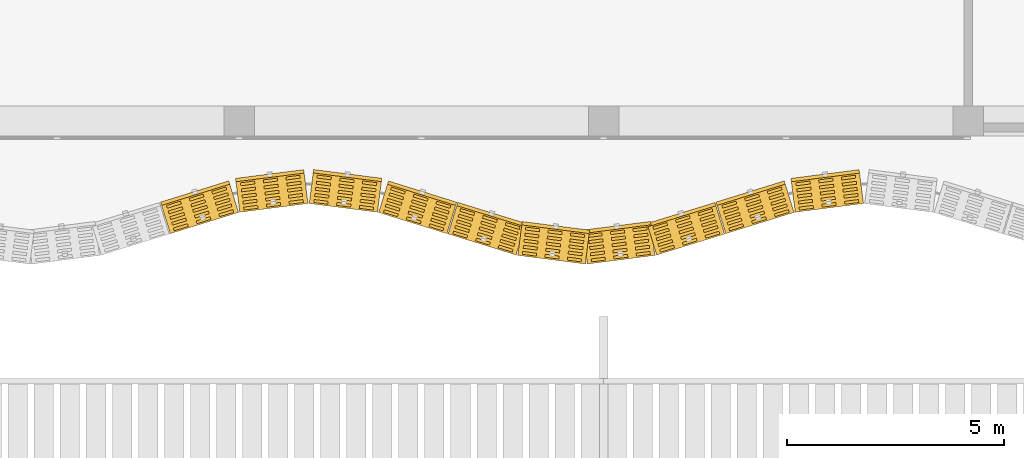
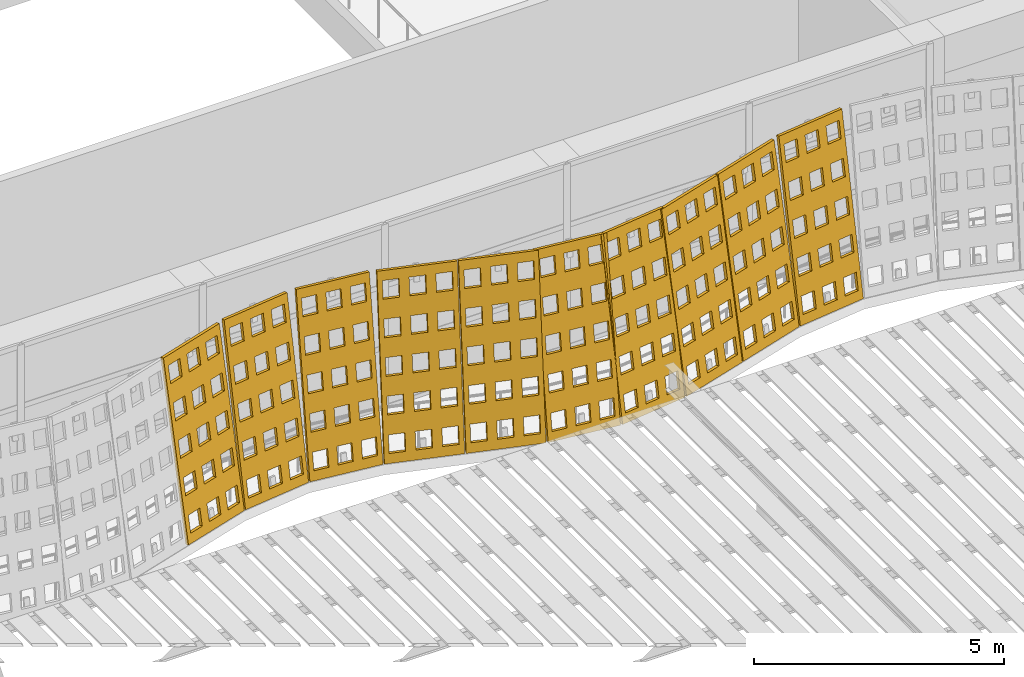
# One storey, part 139 of 162: 10 coverings.
"""IFC4 building model written with IfcOpenShell, lengths in metres."""

import ifcopenshell
import ifcopenshell.guid

model = None  # the IFC model being written
_history = None  # IfcOwnerHistory: only IFC2X3 demands one
_inside = {}  # id of a spatial element -> (the spatial element, [elements in it])
_under = {}  # id of a project, library or spatial element -> (it, [spatial elements below it])
_declared = {}  # id of a project -> (the project, [libraries it declares])
_typed = {}  # id of a type object -> (the type object, [elements of that type])
_made_of = {}  # id of a material, layer set ... -> (it, [elements and type objects made of it])


def new_model(schema):
    """Start an empty IFC model of exactly this schema.

    Asked for "IFC4X3", IfcOpenShell would pick the latest addendum, in which some entities
    have other attributes; the version numbers below select the first issue.
    IFC2X3 requires an IfcOwnerHistory on every rooted entity: one is made here for all.
    """
    global model, _history
    if schema == "IFC4X3":
        model = ifcopenshell.file(schema_version=(4, 3, 0, 0))
    else:
        model = ifcopenshell.file(schema=schema)
    _inside.clear()
    _under.clear()
    _declared.clear()
    _typed.clear()
    _made_of.clear()
    _history = None
    if model.schema == "IFC2X3":
        org = make("IfcOrganization", Name="unknown")
        user = make(
            "IfcPersonAndOrganization",
            ThePerson=make("IfcPerson", FamilyName="unknown"),
            TheOrganization=org,
        )
        app = make(
            "IfcApplication",
            ApplicationDeveloper=org,
            Version="unknown",
            ApplicationFullName="unknown",
            ApplicationIdentifier="unknown",
        )
        _history = make(
            "IfcOwnerHistory",
            OwningUser=user,
            OwningApplication=app,
            ChangeAction="ADDED",
            CreationDate=0,
        )
    return model


def make(cls, **values):
    """One entity of the class cls with the attributes given. An attribute that is None is left unset."""
    return model.create_entity(
        cls, **{name: value for name, value in values.items() if value is not None}
    )


def rooted(cls, **values):
    """An entity with a GlobalId (a new one), such as an element, a storey or a relation."""
    return make(cls, GlobalId=ifcopenshell.guid.new(), OwnerHistory=_history, **values)


def si_unit(unit_type, name, prefix=None):
    """IfcSIUnit, for example si_unit("LENGTHUNIT", "METRE", prefix="MILLI")."""
    return make("IfcSIUnit", UnitType=unit_type, Prefix=prefix, Name=name)


def assignment(units):
    """IfcUnitAssignment: the units of a project."""
    return None if units is None else make("IfcUnitAssignment", Units=units)


def point(xyz):
    """IfcCartesianPoint."""
    return None if xyz is None else make("IfcCartesianPoint", Coordinates=xyz)


def direction(xyz):
    """IfcDirection."""
    return None if xyz is None else make("IfcDirection", DirectionRatios=xyz)


def frame(location, z_axis=None, x_axis=None):
    """IfcAxis2Placement3D, a coordinate frame: its origin and axes. An axis left out is left unset."""
    return make(
        "IfcAxis2Placement3D",
        Location=point(location),
        Axis=direction(z_axis),
        RefDirection=direction(x_axis),
    )


def origin():
    """The frame at (0, 0, 0) with its axes left unset."""
    return frame((0.0, 0.0, 0.0))


def place(relative_to, where):
    """IfcLocalPlacement: puts the frame where relative to a parent placement (None: the world)."""
    return make(
        "IfcLocalPlacement", PlacementRelTo=relative_to, RelativePlacement=where
    )


def context(
    kind, dimensions, precision=None, world=None, true_north=None, identifier=None
):
    """IfcGeometricRepresentationContext, for example the 3D "Model" context."""
    return make(
        "IfcGeometricRepresentationContext",
        ContextIdentifier=identifier,
        ContextType=kind,
        CoordinateSpaceDimension=dimensions,
        Precision=precision,
        WorldCoordinateSystem=world,
        TrueNorth=true_north,
    )


def subcontext(parent, identifier, kind, view, scale=None):
    """IfcGeometricRepresentationSubContext, for example "Body" below "Model"."""
    return make(
        "IfcGeometricRepresentationSubContext",
        ContextIdentifier=identifier,
        ContextType=kind,
        ParentContext=parent,
        TargetScale=scale,
        TargetView=view,
    )


def project(units=None, contexts=None):
    """IfcProject with its units and contexts."""
    return rooted(
        "IfcProject",
        Name="project",
        RepresentationContexts=contexts,
        UnitsInContext=assignment(units),
    )


def spatial(cls, under=None, at=None, **own):
    """A site, building, storey or space (cls), placed at a placement, below another one or the project."""
    s = rooted(cls, ObjectPlacement=at, **own)
    if under is not None:
        _under.setdefault(under.id(), (under, []))[1].append(s)
    return s


def polyline(points):
    """IfcPolyline through the points."""
    return make("IfcPolyline", Points=[point(p) for p in points])


def outline(outer, holes=None, kind="AREA"):
    """IfcArbitraryClosedProfileDef: a profile drawn as a closed curve; with holes, ...WithVoids."""
    if holes is None:
        return make("IfcArbitraryClosedProfileDef", ProfileType=kind, OuterCurve=outer)
    return make(
        "IfcArbitraryProfileDefWithVoids",
        ProfileType=kind,
        OuterCurve=outer,
        InnerCurves=holes,
    )


def extrude(swept, where, along, depth):
    """IfcExtrudedAreaSolid: the profile swept, set in the frame where, extruded along a direction by depth."""
    return make(
        "IfcExtrudedAreaSolid",
        SweptArea=swept,
        Position=where,
        ExtrudedDirection=direction(along),
        Depth=depth,
    )


def shape(context_of_items, identifier, shape_type, items):
    """IfcShapeRepresentation: the items that make up one representation, for example the "Body"."""
    return make(
        "IfcShapeRepresentation",
        ContextOfItems=context_of_items,
        RepresentationIdentifier=identifier,
        RepresentationType=shape_type,
        Items=items,
    )


def material(Name=None, Category=None):
    """IfcMaterial."""
    return make("IfcMaterial", Name=Name, Category=Category)


def layer(
    of_material, thickness, ventilated=None, Name=None, Category=None, Priority=None
):
    """IfcMaterialLayer: one layer of a wall or slab, of a material (None: an air gap)."""
    return make(
        "IfcMaterialLayer",
        Material=of_material,
        LayerThickness=thickness,
        IsVentilated=ventilated,
        Name=Name,
        Category=Category,
        Priority=Priority,
    )


def layer_set(layers, Name=None):
    """IfcMaterialLayerSet."""
    return make("IfcMaterialLayerSet", MaterialLayers=layers, LayerSetName=Name)


def made_of(thing, what):
    """Note that an element or type object is made of a material, layer set ...; save() writes the relation."""
    if what is not None:
        _made_of.setdefault(what.id(), (what, []))[1].append(thing)
    return thing


def type_object(cls, material=None, **own):
    """A type object (cls), such as IfcWallType, which elements share."""
    return made_of(rooted(cls, **own), material)


def element(
    cls,
    number,
    at=None,
    inside=None,
    cuts=None,
    type_object=None,
    material=None,
    context=None,
    identifier="Body",
    shape_type=None,
    held_by="IfcProductDefinitionShape",
    body=None,
    shapes=None,
    **own,
):
    """One element of the class cls, such as IfcWall. Its Tag is "e" and its number.

    at: its placement. inside: the storey or other place that contains it. cuts: it is an
    opening in that element (IfcRelVoidsElement). A single representation is given by context,
    identifier, shape_type and body (its items); several are given by shapes. held_by: the class
    of the entity that holds the representations. save() writes the other relations.
    """
    e = rooted(cls, Tag="e%d" % number, ObjectPlacement=at, **own)
    if body is not None:
        shapes = [shape(context, identifier, shape_type, body)]
    if shapes is not None:
        e.Representation = make(held_by, Representations=shapes)
    if inside is not None:
        _inside.setdefault(inside.id(), (inside, []))[1].append(e)
    if cuts is not None:
        rooted(
            "IfcRelVoidsElement", RelatingBuildingElement=cuts, RelatedOpeningElement=e
        )
    if type_object is not None:
        _typed.setdefault(type_object.id(), (type_object, []))[1].append(e)
    return made_of(e, material)


def aggregate(whole, parts):
    """IfcRelAggregates: a whole, such as a stair, and the parts it consists of."""
    return rooted("IfcRelAggregates", RelatingObject=whole, RelatedObjects=parts)


def save(model, path):
    """Write the relations noted so far, then the file.

    IfcRelAggregates (storeys below a building ...), IfcRelContainedInSpatialStructure (elements
    in a storey), IfcRelDefinesByType, IfcRelAssociatesMaterial and IfcRelDeclares: one each for
    every whole, place, type object, material and project.
    """
    for whole, parts in _under.values():
        aggregate(whole, parts)
    for where, things in _inside.values():
        rooted(
            "IfcRelContainedInSpatialStructure",
            RelatedElements=things,
            RelatingStructure=where,
        )
    for kind, things in _typed.values():
        rooted("IfcRelDefinesByType", RelatedObjects=things, RelatingType=kind)
    for what, things in _made_of.values():
        rooted("IfcRelAssociatesMaterial", RelatedObjects=things, RelatingMaterial=what)
    for by, libraries in _declared.values():
        rooted("IfcRelDeclares", RelatingContext=by, RelatedDefinitions=libraries)
    model.write(path)


model = new_model("IFC4")

# Units and contexts
model_context = context("Model", 3, precision=1e-05, world=origin(), true_north=direction((0.0, 1.0)))
body_context = subcontext(model_context, "Body", "Model", "MODEL_VIEW")
ifc_project = project(units=[si_unit("LENGTHUNIT", "METRE"), si_unit("AREAUNIT", "SQUARE_METRE"), si_unit("VOLUMEUNIT", "CUBIC_METRE"), si_unit("PLANEANGLEUNIT", "RADIAN"), si_unit("MASSUNIT", "GRAM", prefix="KILO")], contexts=[model_context])

# Site, building, storey
site_placement = place(None, origin())
site = spatial("IfcSite", under=ifc_project, at=site_placement, CompositionType="ELEMENT")
building_placement = place(site_placement, origin())
building = spatial("IfcBuilding", under=site, at=building_placement, Name="Rain Tree Exposition and Congress Centre", CompositionType="ELEMENT")
storey_placement = place(building_placement, frame((0.0, 0.0, 6.0)))
storey = spatial("IfcBuildingStorey", under=building, at=storey_placement, Name="L01", CompositionType="ELEMENT", Elevation=6.0)

# Coverings
ifc_material = material(Name="Perforated terracotta", Category="masonry")
ifc_layer = layer(ifc_material, 0.080078125)
ifc_layer_set = layer_set([ifc_layer], Name="Perforated terracotta")
covering_type = type_object("IfcCoveringType", Name="Terracotta screen 80", PredefinedType="CLADDING", material=ifc_layer_set)
covering_1_placement = place(storey_placement, frame((99.199462890625, 73.001708984375, 0.0126953125), z_axis=(-0.292932171154, 0.942875425902, -0.158671592708), x_axis=(-0.954973588716, -0.296690823679, 0.0)))
element("IfcCovering", 1, at=covering_1_placement, inside=storey, type_object=covering_type, Name="concourse/screen/L01/063", PredefinedType="CLADDING", context=body_context, shape_type="SweptSolid", body=[
    extrude(outline(polyline([(-1.659912109375, 0.0), (-1.659912109375, 4.29150390625), (-0.014892578125, 4.29150390625), (-0.014892578125, 0.0), (-1.659912109375, 0.0)]), holes=[polyline([(-0.119140625, 0.221435546875), (-0.119140625, 0.63671875), (-0.458984375, 0.63671875), (-0.458984375, 0.221435546875), (-0.119140625, 0.221435546875)]), polyline([(-0.119140625, 1.079833984375), (-0.119140625, 1.4951171875), (-0.458984375, 1.4951171875), (-0.458984375, 1.079833984375), (-0.119140625, 1.079833984375)]), polyline([(-0.119140625, 1.93798828125), (-0.119140625, 2.353271484375), (-0.458984375, 2.353271484375), (-0.458984375, 1.93798828125), (-0.119140625, 1.93798828125)]), polyline([(-0.119140625, 2.79638671875), (-0.119140625, 3.211669921875), (-0.458984375, 3.211669921875), (-0.458984375, 2.79638671875), (-0.119140625, 2.79638671875)]), polyline([(-0.119140625, 3.654541015625), (-0.119140625, 4.06982421875), (-0.458984375, 4.06982421875), (-0.458984375, 3.654541015625), (-0.119140625, 3.654541015625)]), polyline([(-0.66748046875, 0.221435546875), (-0.66748046875, 0.63671875), (-1.00732421875, 0.63671875), (-1.00732421875, 0.221435546875), (-0.66748046875, 0.221435546875)]), polyline([(-0.66748046875, 1.079833984375), (-0.66748046875, 1.4951171875), (-1.00732421875, 1.4951171875), (-1.00732421875, 1.079833984375), (-0.66748046875, 1.079833984375)]), polyline([(-0.66748046875, 1.93798828125), (-0.66748046875, 2.353271484375), (-1.00732421875, 2.353271484375), (-1.00732421875, 1.93798828125), (-0.66748046875, 1.93798828125)]), polyline([(-0.66748046875, 2.79638671875), (-0.66748046875, 3.211669921875), (-1.00732421875, 3.211669921875), (-1.00732421875, 2.79638671875), (-0.66748046875, 2.79638671875)]), polyline([(-0.66748046875, 3.654541015625), (-0.66748046875, 4.06982421875), (-1.00732421875, 4.06982421875), (-1.00732421875, 3.654541015625), (-0.66748046875, 3.654541015625)]), polyline([(-1.2158203125, 0.221435546875), (-1.2158203125, 0.63671875), (-1.5556640625, 0.63671875), (-1.5556640625, 0.221435546875), (-1.2158203125, 0.221435546875)]), polyline([(-1.2158203125, 1.079833984375), (-1.2158203125, 1.4951171875), (-1.5556640625, 1.4951171875), (-1.5556640625, 1.079833984375), (-1.2158203125, 1.079833984375)]), polyline([(-1.2158203125, 1.93798828125), (-1.2158203125, 2.353271484375), (-1.5556640625, 2.353271484375), (-1.5556640625, 1.93798828125), (-1.2158203125, 1.93798828125)]), polyline([(-1.2158203125, 2.79638671875), (-1.2158203125, 3.211669921875), (-1.5556640625, 3.211669921875), (-1.5556640625, 2.79638671875), (-1.2158203125, 2.79638671875)]), polyline([(-1.2158203125, 3.654541015625), (-1.2158203125, 4.06982421875), (-1.5556640625, 4.06982421875), (-1.5556640625, 3.654541015625), (-1.2158203125, 3.654541015625)])]), origin(), (0.0, 0.0, 1.0), 0.080078125),
])
covering_2_placement = place(storey_placement, frame((100.7998046875, 73.496826171875, 0.01318359375), z_axis=(-0.124968640969, 0.978413018317, -0.164592844203), x_axis=(-0.991941518713, -0.126696580272, 0.0)))
element("IfcCovering", 2, at=covering_2_placement, inside=storey, type_object=covering_type, Name="concourse/screen/L01/064", PredefinedType="CLADDING", context=body_context, shape_type="SweptSolid", body=[
    extrude(outline(polyline([(-1.59814453125, 0.0), (-1.59814453125, 4.295166015625), (-0.014892578125, 4.295166015625), (-0.014892578125, 0.0), (-1.59814453125, 0.0)]), holes=[polyline([(-0.115234375, 0.2216796875), (-0.115234375, 0.63720703125), (-0.4423828125, 0.63720703125), (-0.4423828125, 0.2216796875), (-0.115234375, 0.2216796875)]), polyline([(-0.115234375, 1.080810546875), (-0.115234375, 1.496337890625), (-0.4423828125, 1.496337890625), (-0.4423828125, 1.080810546875), (-0.115234375, 1.080810546875)]), polyline([(-0.115234375, 1.939697265625), (-0.115234375, 2.35546875), (-0.4423828125, 2.35546875), (-0.4423828125, 1.939697265625), (-0.115234375, 1.939697265625)]), polyline([(-0.115234375, 2.798583984375), (-0.115234375, 3.21435546875), (-0.4423828125, 3.21435546875), (-0.4423828125, 2.798583984375), (-0.115234375, 2.798583984375)]), polyline([(-0.115234375, 3.65771484375), (-0.115234375, 4.073486328125), (-0.4423828125, 4.073486328125), (-0.4423828125, 3.65771484375), (-0.115234375, 3.65771484375)]), polyline([(-0.64306640625, 0.2216796875), (-0.64306640625, 0.63720703125), (-0.97021484375, 0.63720703125), (-0.97021484375, 0.2216796875), (-0.64306640625, 0.2216796875)]), polyline([(-0.64306640625, 1.080810546875), (-0.64306640625, 1.496337890625), (-0.97021484375, 1.496337890625), (-0.97021484375, 1.080810546875), (-0.64306640625, 1.080810546875)]), polyline([(-0.64306640625, 1.939697265625), (-0.64306640625, 2.35546875), (-0.97021484375, 2.35546875), (-0.97021484375, 1.939697265625), (-0.64306640625, 1.939697265625)]), polyline([(-0.64306640625, 2.798583984375), (-0.64306640625, 3.21435546875), (-0.97021484375, 3.21435546875), (-0.97021484375, 2.798583984375), (-0.64306640625, 2.798583984375)]), polyline([(-0.64306640625, 3.65771484375), (-0.64306640625, 4.073486328125), (-0.97021484375, 4.073486328125), (-0.97021484375, 3.65771484375), (-0.64306640625, 3.65771484375)]), polyline([(-1.170654296875, 0.2216796875), (-1.170654296875, 0.63720703125), (-1.497802734375, 0.63720703125), (-1.497802734375, 0.2216796875), (-1.170654296875, 0.2216796875)]), polyline([(-1.170654296875, 1.080810546875), (-1.170654296875, 1.496337890625), (-1.497802734375, 1.496337890625), (-1.497802734375, 1.080810546875), (-1.170654296875, 1.080810546875)]), polyline([(-1.170654296875, 1.939697265625), (-1.170654296875, 2.35546875), (-1.497802734375, 2.35546875), (-1.497802734375, 1.939697265625), (-1.170654296875, 1.939697265625)]), polyline([(-1.170654296875, 2.798583984375), (-1.170654296875, 3.21435546875), (-1.497802734375, 3.21435546875), (-1.497802734375, 2.798583984375), (-1.170654296875, 2.798583984375)]), polyline([(-1.170654296875, 3.65771484375), (-1.170654296875, 4.073486328125), (-1.497802734375, 4.073486328125), (-1.497802734375, 3.65771484375), (-1.170654296875, 3.65771484375)])]), origin(), (0.0, 0.0, 1.0), 0.080078125),
])
covering_3_placement = place(storey_placement, frame((102.400390625, 73.701904296875, 0.01318359375), z_axis=(0.125342414455, 0.978282259159, -0.165085131233), x_axis=(-0.991891686382, 0.127086122318, 0.0)))
element("IfcCovering", 3, at=covering_3_placement, inside=storey, type_object=covering_type, Name="concourse/screen/L01/065", PredefinedType="CLADDING", context=body_context, shape_type="SweptSolid", body=[
    extrude(outline(polyline([(-1.59814453125, 0.0), (-1.59814453125, 4.295166015625), (-0.014892578125, 4.295166015625), (-0.014892578125, 0.0), (-1.59814453125, 0.0)]), holes=[polyline([(-0.115234375, 0.2216796875), (-0.115234375, 0.63720703125), (-0.4423828125, 0.63720703125), (-0.4423828125, 0.2216796875), (-0.115234375, 0.2216796875)]), polyline([(-0.115234375, 1.080810546875), (-0.115234375, 1.496337890625), (-0.4423828125, 1.496337890625), (-0.4423828125, 1.080810546875), (-0.115234375, 1.080810546875)]), polyline([(-0.115234375, 1.939697265625), (-0.115234375, 2.35546875), (-0.4423828125, 2.35546875), (-0.4423828125, 1.939697265625), (-0.115234375, 1.939697265625)]), polyline([(-0.115234375, 2.798583984375), (-0.115234375, 3.21435546875), (-0.4423828125, 3.21435546875), (-0.4423828125, 2.798583984375), (-0.115234375, 2.798583984375)]), polyline([(-0.115234375, 3.65771484375), (-0.115234375, 4.073486328125), (-0.4423828125, 4.073486328125), (-0.4423828125, 3.65771484375), (-0.115234375, 3.65771484375)]), polyline([(-0.64306640625, 0.2216796875), (-0.64306640625, 0.63720703125), (-0.97021484375, 0.63720703125), (-0.97021484375, 0.2216796875), (-0.64306640625, 0.2216796875)]), polyline([(-0.64306640625, 1.080810546875), (-0.64306640625, 1.496337890625), (-0.97021484375, 1.496337890625), (-0.97021484375, 1.080810546875), (-0.64306640625, 1.080810546875)]), polyline([(-0.64306640625, 1.939697265625), (-0.64306640625, 2.35546875), (-0.97021484375, 2.35546875), (-0.97021484375, 1.939697265625), (-0.64306640625, 1.939697265625)]), polyline([(-0.64306640625, 2.798583984375), (-0.64306640625, 3.21435546875), (-0.97021484375, 3.21435546875), (-0.97021484375, 2.798583984375), (-0.64306640625, 2.798583984375)]), polyline([(-0.64306640625, 3.65771484375), (-0.64306640625, 4.073486328125), (-0.97021484375, 4.073486328125), (-0.97021484375, 3.65771484375), (-0.64306640625, 3.65771484375)]), polyline([(-1.170654296875, 0.2216796875), (-1.170654296875, 0.63720703125), (-1.497802734375, 0.63720703125), (-1.497802734375, 0.2216796875), (-1.170654296875, 0.2216796875)]), polyline([(-1.170654296875, 1.080810546875), (-1.170654296875, 1.496337890625), (-1.497802734375, 1.496337890625), (-1.497802734375, 1.080810546875), (-1.170654296875, 1.080810546875)]), polyline([(-1.170654296875, 1.939697265625), (-1.170654296875, 2.35546875), (-1.497802734375, 2.35546875), (-1.497802734375, 1.939697265625), (-1.170654296875, 1.939697265625)]), polyline([(-1.170654296875, 2.798583984375), (-1.170654296875, 3.21435546875), (-1.497802734375, 3.21435546875), (-1.497802734375, 2.798583984375), (-1.170654296875, 2.798583984375)]), polyline([(-1.170654296875, 3.65771484375), (-1.170654296875, 4.073486328125), (-1.497802734375, 4.073486328125), (-1.497802734375, 3.65771484375), (-1.170654296875, 3.65771484375)])]), origin(), (0.0, 0.0, 1.0), 0.079833984375),
])
covering_4_placement = place(storey_placement, frame((104.00048828125, 73.49658203125, 0.0126953125), z_axis=(0.292932171154, 0.942875425902, -0.158671592708), x_axis=(-0.954973588716, 0.296690823679, 0.0)))
element("IfcCovering", 4, at=covering_4_placement, inside=storey, type_object=covering_type, Name="concourse/screen/L01/066", PredefinedType="CLADDING", context=body_context, shape_type="SweptSolid", body=[
    extrude(outline(polyline([(-1.659912109375, 0.0), (-1.659912109375, 4.29150390625), (-0.014892578125, 4.29150390625), (-0.014892578125, 0.0), (-1.659912109375, 0.0)]), holes=[polyline([(-0.119140625, 0.221435546875), (-0.119140625, 0.63671875), (-0.458984375, 0.63671875), (-0.458984375, 0.221435546875), (-0.119140625, 0.221435546875)]), polyline([(-0.119140625, 1.079833984375), (-0.119140625, 1.4951171875), (-0.458984375, 1.4951171875), (-0.458984375, 1.079833984375), (-0.119140625, 1.079833984375)]), polyline([(-0.119140625, 1.93798828125), (-0.119140625, 2.353271484375), (-0.458984375, 2.353271484375), (-0.458984375, 1.93798828125), (-0.119140625, 1.93798828125)]), polyline([(-0.119140625, 2.79638671875), (-0.119140625, 3.211669921875), (-0.458984375, 3.211669921875), (-0.458984375, 2.79638671875), (-0.119140625, 2.79638671875)]), polyline([(-0.119140625, 3.654541015625), (-0.119140625, 4.06982421875), (-0.458984375, 4.06982421875), (-0.458984375, 3.654541015625), (-0.119140625, 3.654541015625)]), polyline([(-0.66748046875, 0.221435546875), (-0.66748046875, 0.63671875), (-1.00732421875, 0.63671875), (-1.00732421875, 0.221435546875), (-0.66748046875, 0.221435546875)]), polyline([(-0.66748046875, 1.079833984375), (-0.66748046875, 1.4951171875), (-1.00732421875, 1.4951171875), (-1.00732421875, 1.079833984375), (-0.66748046875, 1.079833984375)]), polyline([(-0.66748046875, 1.93798828125), (-0.66748046875, 2.353271484375), (-1.00732421875, 2.353271484375), (-1.00732421875, 1.93798828125), (-0.66748046875, 1.93798828125)]), polyline([(-0.66748046875, 2.79638671875), (-0.66748046875, 3.211669921875), (-1.00732421875, 3.211669921875), (-1.00732421875, 2.79638671875), (-0.66748046875, 2.79638671875)]), polyline([(-0.66748046875, 3.654541015625), (-0.66748046875, 4.06982421875), (-1.00732421875, 4.06982421875), (-1.00732421875, 3.654541015625), (-0.66748046875, 3.654541015625)]), polyline([(-1.2158203125, 0.221435546875), (-1.2158203125, 0.63671875), (-1.5556640625, 0.63671875), (-1.5556640625, 0.221435546875), (-1.2158203125, 0.221435546875)]), polyline([(-1.2158203125, 1.079833984375), (-1.2158203125, 1.4951171875), (-1.5556640625, 1.4951171875), (-1.5556640625, 1.079833984375), (-1.2158203125, 1.079833984375)]), polyline([(-1.2158203125, 1.93798828125), (-1.2158203125, 2.353271484375), (-1.5556640625, 2.353271484375), (-1.5556640625, 1.93798828125), (-1.2158203125, 1.93798828125)]), polyline([(-1.2158203125, 2.79638671875), (-1.2158203125, 3.211669921875), (-1.5556640625, 3.211669921875), (-1.5556640625, 2.79638671875), (-1.2158203125, 2.79638671875)]), polyline([(-1.2158203125, 3.654541015625), (-1.2158203125, 4.06982421875), (-1.5556640625, 4.06982421875), (-1.5556640625, 3.654541015625), (-1.2158203125, 3.654541015625)])]), origin(), (0.0, 0.0, 1.0), 0.080078125),
])
covering_5_placement = place(storey_placement, frame((105.6005859375, 73.001708984375, 0.0126953125), z_axis=(0.290138898064, 0.943714942124, -0.158812870519), x_axis=(-0.955845867297, 0.293868470528, 0.0)))
element("IfcCovering", 5, at=covering_5_placement, inside=storey, type_object=covering_type, Name="concourse/screen/L01/067", PredefinedType="CLADDING", context=body_context, shape_type="SweptSolid", body=[
    extrude(outline(polyline([(-1.65283203125, 0.0), (-1.65283203125, 4.29150390625), (-0.014892578125, 4.29150390625), (-0.014892578125, 0.0), (-1.65283203125, 0.0)]), holes=[polyline([(-0.11865234375, 0.221435546875), (-0.11865234375, 0.63671875), (-0.457275390625, 0.63671875), (-0.457275390625, 0.221435546875), (-0.11865234375, 0.221435546875)]), polyline([(-0.11865234375, 1.079833984375), (-0.11865234375, 1.4951171875), (-0.457275390625, 1.4951171875), (-0.457275390625, 1.079833984375), (-0.11865234375, 1.079833984375)]), polyline([(-0.11865234375, 1.93798828125), (-0.11865234375, 2.353271484375), (-0.457275390625, 2.353271484375), (-0.457275390625, 1.93798828125), (-0.11865234375, 1.93798828125)]), polyline([(-0.11865234375, 2.79638671875), (-0.11865234375, 3.211669921875), (-0.457275390625, 3.211669921875), (-0.457275390625, 2.79638671875), (-0.11865234375, 2.79638671875)]), polyline([(-0.11865234375, 3.654541015625), (-0.11865234375, 4.06982421875), (-0.457275390625, 4.06982421875), (-0.457275390625, 3.654541015625), (-0.11865234375, 3.654541015625)]), polyline([(-0.664794921875, 0.221435546875), (-0.664794921875, 0.63671875), (-1.003173828125, 0.63671875), (-1.003173828125, 0.221435546875), (-0.664794921875, 0.221435546875)]), polyline([(-0.664794921875, 1.079833984375), (-0.664794921875, 1.4951171875), (-1.003173828125, 1.4951171875), (-1.003173828125, 1.079833984375), (-0.664794921875, 1.079833984375)]), polyline([(-0.664794921875, 1.93798828125), (-0.664794921875, 2.353271484375), (-1.003173828125, 2.353271484375), (-1.003173828125, 1.93798828125), (-0.664794921875, 1.93798828125)]), polyline([(-0.664794921875, 2.79638671875), (-0.664794921875, 3.211669921875), (-1.003173828125, 3.211669921875), (-1.003173828125, 2.79638671875), (-0.664794921875, 2.79638671875)]), polyline([(-0.664794921875, 3.654541015625), (-0.664794921875, 4.06982421875), (-1.003173828125, 4.06982421875), (-1.003173828125, 3.654541015625), (-0.664794921875, 3.654541015625)]), polyline([(-1.210693359375, 0.221435546875), (-1.210693359375, 0.63671875), (-1.54931640625, 0.63671875), (-1.54931640625, 0.221435546875), (-1.210693359375, 0.221435546875)]), polyline([(-1.210693359375, 1.079833984375), (-1.210693359375, 1.4951171875), (-1.54931640625, 1.4951171875), (-1.54931640625, 1.079833984375), (-1.210693359375, 1.079833984375)]), polyline([(-1.210693359375, 1.93798828125), (-1.210693359375, 2.353271484375), (-1.54931640625, 2.353271484375), (-1.54931640625, 1.93798828125), (-1.210693359375, 1.93798828125)]), polyline([(-1.210693359375, 2.79638671875), (-1.210693359375, 3.211669921875), (-1.54931640625, 3.211669921875), (-1.54931640625, 2.79638671875), (-1.210693359375, 2.79638671875)]), polyline([(-1.210693359375, 3.654541015625), (-1.210693359375, 4.06982421875), (-1.54931640625, 4.06982421875), (-1.54931640625, 3.654541015625), (-1.210693359375, 3.654541015625)])]), origin(), (0.0, 0.0, 1.0), 0.079833984375),
])
covering_6_placement = place(storey_placement, frame((107.2001953125, 72.5068359375, 0.01318359375), z_axis=(0.124968640969, 0.978413018317, -0.164592844203), x_axis=(-0.991941518713, 0.126696580272, 0.0)))
element("IfcCovering", 6, at=covering_6_placement, inside=storey, type_object=covering_type, Name="concourse/screen/L01/068", PredefinedType="CLADDING", context=body_context, shape_type="SweptSolid", body=[
    extrude(outline(polyline([(-1.587890625, 0.0), (-1.587890625, 4.295166015625), (-0.02197265625, 4.295166015625), (-0.02197265625, 0.0), (-1.587890625, 0.0)]), holes=[polyline([(-0.12109375, 0.2216796875), (-0.12109375, 0.63720703125), (-0.444580078125, 0.63720703125), (-0.444580078125, 0.2216796875), (-0.12109375, 0.2216796875)]), polyline([(-0.12109375, 1.080810546875), (-0.12109375, 1.496337890625), (-0.444580078125, 1.496337890625), (-0.444580078125, 1.080810546875), (-0.12109375, 1.080810546875)]), polyline([(-0.12109375, 1.939697265625), (-0.12109375, 2.35546875), (-0.444580078125, 2.35546875), (-0.444580078125, 1.939697265625), (-0.12109375, 1.939697265625)]), polyline([(-0.12109375, 2.798583984375), (-0.12109375, 3.21435546875), (-0.444580078125, 3.21435546875), (-0.444580078125, 2.798583984375), (-0.12109375, 2.798583984375)]), polyline([(-0.12109375, 3.65771484375), (-0.12109375, 4.073486328125), (-0.444580078125, 4.073486328125), (-0.444580078125, 3.65771484375), (-0.12109375, 3.65771484375)]), polyline([(-0.64306640625, 0.2216796875), (-0.64306640625, 0.63720703125), (-0.966796875, 0.63720703125), (-0.966796875, 0.2216796875), (-0.64306640625, 0.2216796875)]), polyline([(-0.64306640625, 1.080810546875), (-0.64306640625, 1.496337890625), (-0.966796875, 1.496337890625), (-0.966796875, 1.080810546875), (-0.64306640625, 1.080810546875)]), polyline([(-0.64306640625, 1.939697265625), (-0.64306640625, 2.35546875), (-0.966796875, 2.35546875), (-0.966796875, 1.939697265625), (-0.64306640625, 1.939697265625)]), polyline([(-0.64306640625, 2.798583984375), (-0.64306640625, 3.21435546875), (-0.966796875, 3.21435546875), (-0.966796875, 2.798583984375), (-0.64306640625, 2.798583984375)]), polyline([(-0.64306640625, 3.65771484375), (-0.64306640625, 4.073486328125), (-0.966796875, 4.073486328125), (-0.966796875, 3.65771484375), (-0.64306640625, 3.65771484375)]), polyline([(-1.1650390625, 0.2216796875), (-1.1650390625, 0.63720703125), (-1.48876953125, 0.63720703125), (-1.48876953125, 0.2216796875), (-1.1650390625, 0.2216796875)]), polyline([(-1.1650390625, 1.080810546875), (-1.1650390625, 1.496337890625), (-1.48876953125, 1.496337890625), (-1.48876953125, 1.080810546875), (-1.1650390625, 1.080810546875)]), polyline([(-1.1650390625, 1.939697265625), (-1.1650390625, 2.35546875), (-1.48876953125, 2.35546875), (-1.48876953125, 1.939697265625), (-1.1650390625, 1.939697265625)]), polyline([(-1.1650390625, 2.798583984375), (-1.1650390625, 3.21435546875), (-1.48876953125, 3.21435546875), (-1.48876953125, 2.798583984375), (-1.1650390625, 2.798583984375)]), polyline([(-1.1650390625, 3.65771484375), (-1.1650390625, 4.073486328125), (-1.48876953125, 4.073486328125), (-1.48876953125, 3.65771484375), (-1.1650390625, 3.65771484375)])]), origin(), (0.0, 0.0, 1.0), 0.080078125),
])
covering_7_placement = place(storey_placement, frame((108.7998046875, 72.302001953125, 0.01318359375), z_axis=(-0.125342414455, 0.978282259159, -0.165085131233), x_axis=(-0.991891686382, -0.127086122318, 0.0)))
element("IfcCovering", 7, at=covering_7_placement, inside=storey, type_object=covering_type, Name="concourse/screen/L01/069", PredefinedType="CLADDING", context=body_context, shape_type="SweptSolid", body=[
    extrude(outline(polyline([(-1.59130859375, 0.0), (-1.59130859375, 4.295166015625), (-0.025146484375, 4.295166015625), (-0.025146484375, 0.0), (-1.59130859375, 0.0)]), holes=[polyline([(-0.12451171875, 0.2216796875), (-0.12451171875, 0.63720703125), (-0.447998046875, 0.63720703125), (-0.447998046875, 0.2216796875), (-0.12451171875, 0.2216796875)]), polyline([(-0.12451171875, 1.080810546875), (-0.12451171875, 1.496337890625), (-0.447998046875, 1.496337890625), (-0.447998046875, 1.080810546875), (-0.12451171875, 1.080810546875)]), polyline([(-0.12451171875, 1.939697265625), (-0.12451171875, 2.35546875), (-0.447998046875, 2.35546875), (-0.447998046875, 1.939697265625), (-0.12451171875, 1.939697265625)]), polyline([(-0.12451171875, 2.798583984375), (-0.12451171875, 3.21435546875), (-0.447998046875, 3.21435546875), (-0.447998046875, 2.798583984375), (-0.12451171875, 2.798583984375)]), polyline([(-0.12451171875, 3.65771484375), (-0.12451171875, 4.073486328125), (-0.447998046875, 4.073486328125), (-0.447998046875, 3.65771484375), (-0.12451171875, 3.65771484375)]), polyline([(-0.646484375, 0.2216796875), (-0.646484375, 0.63720703125), (-0.969970703125, 0.63720703125), (-0.969970703125, 0.2216796875), (-0.646484375, 0.2216796875)]), polyline([(-0.646484375, 1.080810546875), (-0.646484375, 1.496337890625), (-0.969970703125, 1.496337890625), (-0.969970703125, 1.080810546875), (-0.646484375, 1.080810546875)]), polyline([(-0.646484375, 1.939697265625), (-0.646484375, 2.35546875), (-0.969970703125, 2.35546875), (-0.969970703125, 1.939697265625), (-0.646484375, 1.939697265625)]), polyline([(-0.646484375, 2.798583984375), (-0.646484375, 3.21435546875), (-0.969970703125, 3.21435546875), (-0.969970703125, 2.798583984375), (-0.646484375, 2.798583984375)]), polyline([(-0.646484375, 3.65771484375), (-0.646484375, 4.073486328125), (-0.969970703125, 4.073486328125), (-0.969970703125, 3.65771484375), (-0.646484375, 3.65771484375)]), polyline([(-1.16845703125, 0.2216796875), (-1.16845703125, 0.63720703125), (-1.491943359375, 0.63720703125), (-1.491943359375, 0.2216796875), (-1.16845703125, 0.2216796875)]), polyline([(-1.16845703125, 1.080810546875), (-1.16845703125, 1.496337890625), (-1.491943359375, 1.496337890625), (-1.491943359375, 1.080810546875), (-1.16845703125, 1.080810546875)]), polyline([(-1.16845703125, 1.939697265625), (-1.16845703125, 2.35546875), (-1.491943359375, 2.35546875), (-1.491943359375, 1.939697265625), (-1.16845703125, 1.939697265625)]), polyline([(-1.16845703125, 2.798583984375), (-1.16845703125, 3.21435546875), (-1.491943359375, 3.21435546875), (-1.491943359375, 2.798583984375), (-1.16845703125, 2.798583984375)]), polyline([(-1.16845703125, 3.65771484375), (-1.16845703125, 4.073486328125), (-1.491943359375, 4.073486328125), (-1.491943359375, 3.65771484375), (-1.16845703125, 3.65771484375)])]), origin(), (0.0, 0.0, 1.0), 0.079833984375),
])
covering_8_placement = place(storey_placement, frame((110.3994140625, 72.506591796875, 0.0126953125), z_axis=(-0.290138898064, 0.943714942124, -0.158812870519), x_axis=(-0.955845867297, -0.293868470528, 0.0)))
element("IfcCovering", 8, at=covering_8_placement, inside=storey, type_object=covering_type, Name="concourse/screen/L01/070", PredefinedType="CLADDING", context=body_context, shape_type="SweptSolid", body=[
    extrude(outline(polyline([(-1.659912109375, 0.0), (-1.659912109375, 4.29150390625), (-0.02197265625, 4.29150390625), (-0.02197265625, 0.0), (-1.659912109375, 0.0)]), holes=[polyline([(-0.125732421875, 0.221435546875), (-0.125732421875, 0.63671875), (-0.464111328125, 0.63671875), (-0.464111328125, 0.221435546875), (-0.125732421875, 0.221435546875)]), polyline([(-0.125732421875, 1.079833984375), (-0.125732421875, 1.4951171875), (-0.464111328125, 1.4951171875), (-0.464111328125, 1.079833984375), (-0.125732421875, 1.079833984375)]), polyline([(-0.125732421875, 1.93798828125), (-0.125732421875, 2.353271484375), (-0.464111328125, 2.353271484375), (-0.464111328125, 1.93798828125), (-0.125732421875, 1.93798828125)]), polyline([(-0.125732421875, 2.79638671875), (-0.125732421875, 3.211669921875), (-0.464111328125, 3.211669921875), (-0.464111328125, 2.79638671875), (-0.125732421875, 2.79638671875)]), polyline([(-0.125732421875, 3.654541015625), (-0.125732421875, 4.06982421875), (-0.464111328125, 4.06982421875), (-0.464111328125, 3.654541015625), (-0.125732421875, 3.654541015625)]), polyline([(-0.671630859375, 0.221435546875), (-0.671630859375, 0.63671875), (-1.010009765625, 0.63671875), (-1.010009765625, 0.221435546875), (-0.671630859375, 0.221435546875)]), polyline([(-0.671630859375, 1.079833984375), (-0.671630859375, 1.4951171875), (-1.010009765625, 1.4951171875), (-1.010009765625, 1.079833984375), (-0.671630859375, 1.079833984375)]), polyline([(-0.671630859375, 1.93798828125), (-0.671630859375, 2.353271484375), (-1.010009765625, 2.353271484375), (-1.010009765625, 1.93798828125), (-0.671630859375, 1.93798828125)]), polyline([(-0.671630859375, 2.79638671875), (-0.671630859375, 3.211669921875), (-1.010009765625, 3.211669921875), (-1.010009765625, 2.79638671875), (-0.671630859375, 2.79638671875)]), polyline([(-0.671630859375, 3.654541015625), (-0.671630859375, 4.06982421875), (-1.010009765625, 4.06982421875), (-1.010009765625, 3.654541015625), (-0.671630859375, 3.654541015625)]), polyline([(-1.217529296875, 0.221435546875), (-1.217529296875, 0.63671875), (-1.55615234375, 0.63671875), (-1.55615234375, 0.221435546875), (-1.217529296875, 0.221435546875)]), polyline([(-1.217529296875, 1.079833984375), (-1.217529296875, 1.4951171875), (-1.55615234375, 1.4951171875), (-1.55615234375, 1.079833984375), (-1.217529296875, 1.079833984375)]), polyline([(-1.217529296875, 1.93798828125), (-1.217529296875, 2.353271484375), (-1.55615234375, 2.353271484375), (-1.55615234375, 1.93798828125), (-1.217529296875, 1.93798828125)]), polyline([(-1.217529296875, 2.79638671875), (-1.217529296875, 3.211669921875), (-1.55615234375, 3.211669921875), (-1.55615234375, 2.79638671875), (-1.217529296875, 2.79638671875)]), polyline([(-1.217529296875, 3.654541015625), (-1.217529296875, 4.06982421875), (-1.55615234375, 4.06982421875), (-1.55615234375, 3.654541015625), (-1.217529296875, 3.654541015625)])]), origin(), (0.0, 0.0, 1.0), 0.079833984375),
])
covering_9_placement = place(storey_placement, frame((111.99951171875, 73.001708984375, 0.0126953125), z_axis=(-0.292932171154, 0.942875425902, -0.158671592708), x_axis=(-0.954973588716, -0.296690823679, 0.0)))
element("IfcCovering", 9, at=covering_9_placement, inside=storey, type_object=covering_type, Name="concourse/screen/L01/071", PredefinedType="CLADDING", context=body_context, shape_type="SweptSolid", body=[
    extrude(outline(polyline([(-1.659912109375, 0.0), (-1.659912109375, 4.29150390625), (-0.014892578125, 4.29150390625), (-0.014892578125, 0.0), (-1.659912109375, 0.0)]), holes=[polyline([(-0.119140625, 0.221435546875), (-0.119140625, 0.63671875), (-0.458984375, 0.63671875), (-0.458984375, 0.221435546875), (-0.119140625, 0.221435546875)]), polyline([(-0.119140625, 1.079833984375), (-0.119140625, 1.4951171875), (-0.458984375, 1.4951171875), (-0.458984375, 1.079833984375), (-0.119140625, 1.079833984375)]), polyline([(-0.119140625, 1.93798828125), (-0.119140625, 2.353271484375), (-0.458984375, 2.353271484375), (-0.458984375, 1.93798828125), (-0.119140625, 1.93798828125)]), polyline([(-0.119140625, 2.79638671875), (-0.119140625, 3.211669921875), (-0.458984375, 3.211669921875), (-0.458984375, 2.79638671875), (-0.119140625, 2.79638671875)]), polyline([(-0.119140625, 3.654541015625), (-0.119140625, 4.06982421875), (-0.458984375, 4.06982421875), (-0.458984375, 3.654541015625), (-0.119140625, 3.654541015625)]), polyline([(-0.66748046875, 0.221435546875), (-0.66748046875, 0.63671875), (-1.00732421875, 0.63671875), (-1.00732421875, 0.221435546875), (-0.66748046875, 0.221435546875)]), polyline([(-0.66748046875, 1.079833984375), (-0.66748046875, 1.4951171875), (-1.00732421875, 1.4951171875), (-1.00732421875, 1.079833984375), (-0.66748046875, 1.079833984375)]), polyline([(-0.66748046875, 1.93798828125), (-0.66748046875, 2.353271484375), (-1.00732421875, 2.353271484375), (-1.00732421875, 1.93798828125), (-0.66748046875, 1.93798828125)]), polyline([(-0.66748046875, 2.79638671875), (-0.66748046875, 3.211669921875), (-1.00732421875, 3.211669921875), (-1.00732421875, 2.79638671875), (-0.66748046875, 2.79638671875)]), polyline([(-0.66748046875, 3.654541015625), (-0.66748046875, 4.06982421875), (-1.00732421875, 4.06982421875), (-1.00732421875, 3.654541015625), (-0.66748046875, 3.654541015625)]), polyline([(-1.2158203125, 0.221435546875), (-1.2158203125, 0.63671875), (-1.5556640625, 0.63671875), (-1.5556640625, 0.221435546875), (-1.2158203125, 0.221435546875)]), polyline([(-1.2158203125, 1.079833984375), (-1.2158203125, 1.4951171875), (-1.5556640625, 1.4951171875), (-1.5556640625, 1.079833984375), (-1.2158203125, 1.079833984375)]), polyline([(-1.2158203125, 1.93798828125), (-1.2158203125, 2.353271484375), (-1.5556640625, 2.353271484375), (-1.5556640625, 1.93798828125), (-1.2158203125, 1.93798828125)]), polyline([(-1.2158203125, 2.79638671875), (-1.2158203125, 3.211669921875), (-1.5556640625, 3.211669921875), (-1.5556640625, 2.79638671875), (-1.2158203125, 2.79638671875)]), polyline([(-1.2158203125, 3.654541015625), (-1.2158203125, 4.06982421875), (-1.5556640625, 4.06982421875), (-1.5556640625, 3.654541015625), (-1.2158203125, 3.654541015625)])]), origin(), (0.0, 0.0, 1.0), 0.080078125),
])
covering_10_placement = place(storey_placement, frame((113.599609375, 73.496826171875, 0.01318359375), z_axis=(-0.124968640969, 0.978413018317, -0.164592844203), x_axis=(-0.991941518713, -0.126696580272, 0.0)))
element("IfcCovering", 10, at=covering_10_placement, inside=storey, type_object=covering_type, Name="concourse/screen/L01/072", PredefinedType="CLADDING", context=body_context, shape_type="SweptSolid", body=[
    extrude(outline(polyline([(-1.59814453125, 0.0), (-1.59814453125, 4.295166015625), (-0.014892578125, 4.295166015625), (-0.014892578125, 0.0), (-1.59814453125, 0.0)]), holes=[polyline([(-0.115234375, 0.2216796875), (-0.115234375, 0.63720703125), (-0.4423828125, 0.63720703125), (-0.4423828125, 0.2216796875), (-0.115234375, 0.2216796875)]), polyline([(-0.115234375, 1.080810546875), (-0.115234375, 1.496337890625), (-0.4423828125, 1.496337890625), (-0.4423828125, 1.080810546875), (-0.115234375, 1.080810546875)]), polyline([(-0.115234375, 1.939697265625), (-0.115234375, 2.35546875), (-0.4423828125, 2.35546875), (-0.4423828125, 1.939697265625), (-0.115234375, 1.939697265625)]), polyline([(-0.115234375, 2.798583984375), (-0.115234375, 3.21435546875), (-0.4423828125, 3.21435546875), (-0.4423828125, 2.798583984375), (-0.115234375, 2.798583984375)]), polyline([(-0.115234375, 3.65771484375), (-0.115234375, 4.073486328125), (-0.4423828125, 4.073486328125), (-0.4423828125, 3.65771484375), (-0.115234375, 3.65771484375)]), polyline([(-0.64306640625, 0.2216796875), (-0.64306640625, 0.63720703125), (-0.97021484375, 0.63720703125), (-0.97021484375, 0.2216796875), (-0.64306640625, 0.2216796875)]), polyline([(-0.64306640625, 1.080810546875), (-0.64306640625, 1.496337890625), (-0.97021484375, 1.496337890625), (-0.97021484375, 1.080810546875), (-0.64306640625, 1.080810546875)]), polyline([(-0.64306640625, 1.939697265625), (-0.64306640625, 2.35546875), (-0.97021484375, 2.35546875), (-0.97021484375, 1.939697265625), (-0.64306640625, 1.939697265625)]), polyline([(-0.64306640625, 2.798583984375), (-0.64306640625, 3.21435546875), (-0.97021484375, 3.21435546875), (-0.97021484375, 2.798583984375), (-0.64306640625, 2.798583984375)]), polyline([(-0.64306640625, 3.65771484375), (-0.64306640625, 4.073486328125), (-0.97021484375, 4.073486328125), (-0.97021484375, 3.65771484375), (-0.64306640625, 3.65771484375)]), polyline([(-1.170654296875, 0.2216796875), (-1.170654296875, 0.63720703125), (-1.497802734375, 0.63720703125), (-1.497802734375, 0.2216796875), (-1.170654296875, 0.2216796875)]), polyline([(-1.170654296875, 1.080810546875), (-1.170654296875, 1.496337890625), (-1.497802734375, 1.496337890625), (-1.497802734375, 1.080810546875), (-1.170654296875, 1.080810546875)]), polyline([(-1.170654296875, 1.939697265625), (-1.170654296875, 2.35546875), (-1.497802734375, 2.35546875), (-1.497802734375, 1.939697265625), (-1.170654296875, 1.939697265625)]), polyline([(-1.170654296875, 2.798583984375), (-1.170654296875, 3.21435546875), (-1.497802734375, 3.21435546875), (-1.497802734375, 2.798583984375), (-1.170654296875, 2.798583984375)]), polyline([(-1.170654296875, 3.65771484375), (-1.170654296875, 4.073486328125), (-1.497802734375, 4.073486328125), (-1.497802734375, 3.65771484375), (-1.170654296875, 3.65771484375)])]), origin(), (0.0, 0.0, 1.0), 0.080078125),
])

save(model, "model.ifc")
